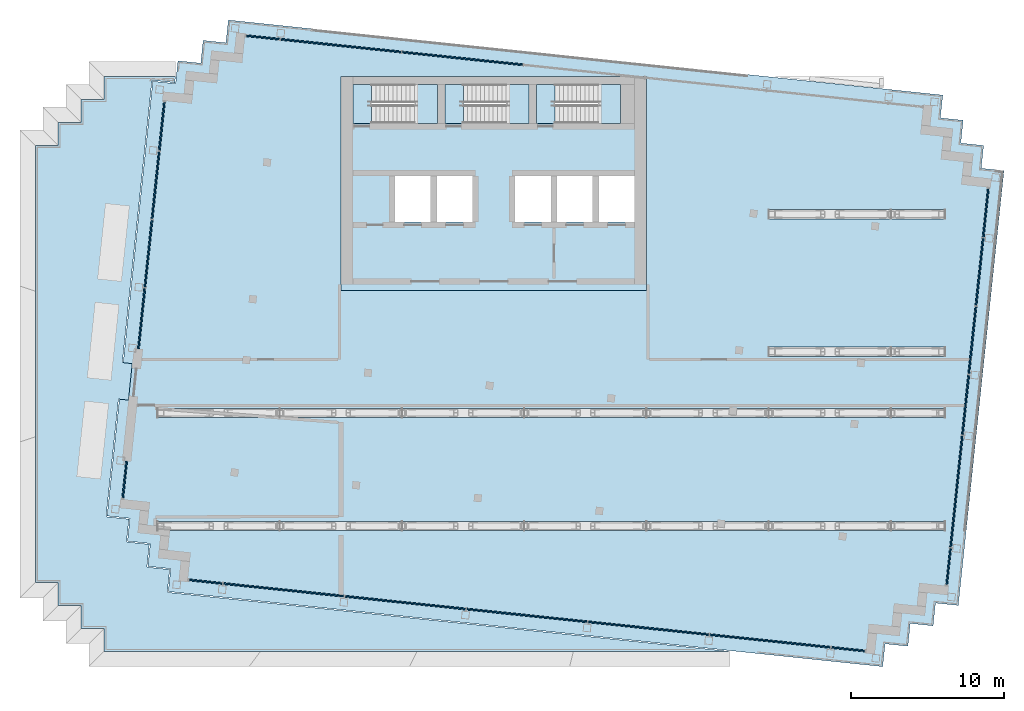
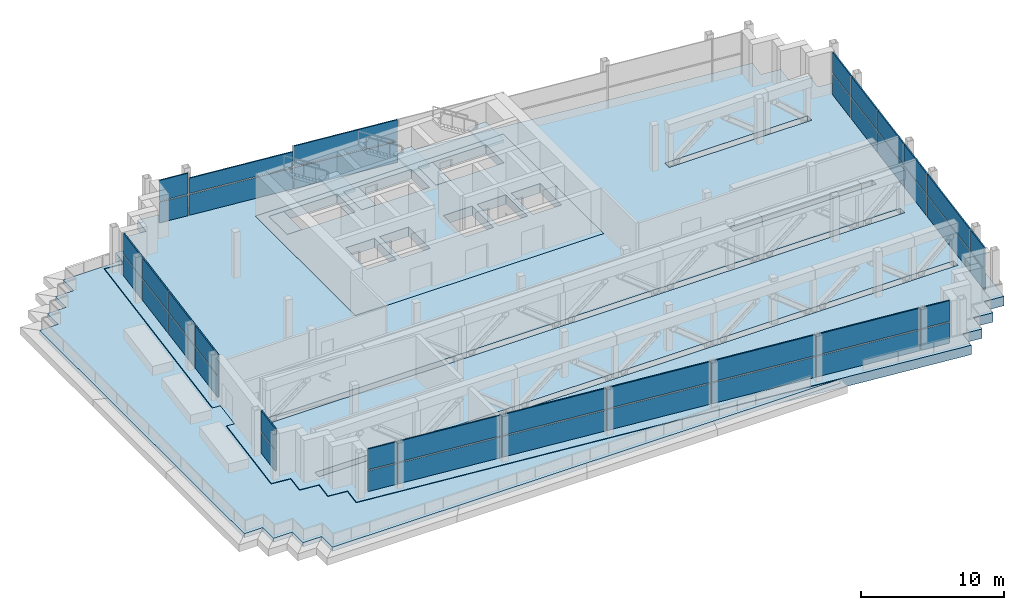
# One storey, part 6 of 18: 42 plates, 9 slabs, 8 elements without a shape of their own.
"""IFC4 building model written with IfcOpenShell, lengths in metres."""

from ifc_helpers import new_model, si_unit, direction, frame, origin, origin_2d, place, context, subcontext, project, spatial, polyline, rectangle, outline, extrude, material, layer, layer_set, type_object, element, aggregate, save


model = new_model("IFC4")

# Units and contexts
model_context = context("Model", 3, precision=1e-05, world=origin(), true_north=direction((0.0, 1.0)))
body_context = subcontext(model_context, "Body", "Model", "MODEL_VIEW")
ifc_project = project(units=[si_unit("LENGTHUNIT", "METRE"), si_unit("AREAUNIT", "SQUARE_METRE"), si_unit("VOLUMEUNIT", "CUBIC_METRE"), si_unit("PLANEANGLEUNIT", "RADIAN"), si_unit("MASSUNIT", "GRAM", prefix="KILO")], contexts=[model_context])

# Site, building, storey
site_placement = place(None, origin())
site = spatial("IfcSite", under=ifc_project, at=site_placement, CompositionType="ELEMENT")
building_placement = place(site_placement, origin())
building = spatial("IfcBuilding", under=site, at=building_placement, Name="Vidyagriha Tower", CompositionType="ELEMENT")
storey_placement = place(building_placement, frame((0.0, 0.0, 249.199951171875)))
storey = spatial("IfcBuildingStorey", under=building, at=storey_placement, Name="L64", CompositionType="ELEMENT", Elevation=249.199951171875)

# Slabs
ifc_material_1 = material(Name="Concrete C60/75", Category="concrete")
ifc_layer_1 = layer(ifc_material_1, 0.800048828125)
ifc_layer_set_1 = layer_set([ifc_layer_1], Name="Concrete C60/75")
slab_type_1 = type_object("IfcSlabType", Name="Core floor slab 800 mm", PredefinedType="FLOOR", material=ifc_layer_set_1)
slab_1_placement = place(storey_placement, frame((0.0, 0.0, -0.800048828125)))
element("IfcSlab", 1, at=slab_1_placement, inside=storey, type_object=slab_type_1, Name="L64 core floor 1", PredefinedType="FLOOR", context=body_context, shape_type="SweptSolid", body=[
    extrude(outline(polyline([(-10.0, 6.0), (-10.0, 20.0), (10.0, 20.0), (10.0, 6.0), (-10.0, 6.0)]), holes=[polyline([(6.86669921875, 13.5), (6.86669921875, 10.5), (9.199951171875, 10.5), (9.199951171875, 13.5), (6.86669921875, 13.5)]), polyline([(4.0, 19.5), (2.800048828125, 19.5), (2.800048828125, 16.949951171875), (4.0, 16.949951171875), (8.300048828125, 16.949951171875), (8.300048828125, 19.5), (4.0, 19.5)]), polyline([(6.466796875, 13.5), (4.13330078125, 13.5), (4.13330078125, 10.5), (6.466796875, 10.5), (6.466796875, 13.5)]), polyline([(3.7333984375, 13.5), (1.39990234375, 13.5), (1.39990234375, 10.5), (3.7333984375, 10.5), (3.7333984375, 13.5)]), polyline([(-2.0, 16.949951171875), (2.300048828125, 16.949951171875), (2.300048828125, 19.5), (-2.0, 19.5), (-3.199951171875, 19.5), (-3.199951171875, 16.949951171875), (-2.0, 16.949951171875)]), polyline([(-3.7333984375, 13.5), (-3.7333984375, 10.5), (-1.39990234375, 10.5), (-1.39990234375, 13.5), (-3.7333984375, 13.5)]), polyline([(-9.199951171875, 19.5), (-9.199951171875, 16.949951171875), (-8.0, 16.949951171875), (-3.699951171875, 16.949951171875), (-3.699951171875, 19.5), (-8.0, 19.5), (-9.199951171875, 19.5)]), polyline([(-6.466796875, 13.5), (-6.466796875, 10.5), (-4.13330078125, 10.5), (-4.13330078125, 13.5), (-6.466796875, 13.5)])]), origin(), (0.0, 0.0, 1.0), 0.800048828125),
])
ifc_material_2 = material(Name="Concrete C40/50", Category="concrete")
ifc_layer_2 = layer(ifc_material_2, 0.800048828125)
ifc_layer_set_2 = layer_set([ifc_layer_2], Name="Concrete C40/50")
slab_type_2 = type_object("IfcSlabType", Name="Exit stair floor landing 800 mm", PredefinedType="LANDING", material=ifc_layer_set_2)
slab_2_placement = place(storey_placement, frame((0.0, 0.0, -0.800048828125)))
element("IfcSlab", 2, at=slab_2_placement, inside=storey, type_object=slab_type_2, Name="ST1 floor landing L64", PredefinedType="LANDING", context=body_context, shape_type="SweptSolid", body=[
    extrude(outline(polyline([(-9.199951171875, 16.949951171875), (-8.0, 16.949951171875), (-8.0, 19.5), (-9.199951171875, 19.5), (-9.199951171875, 16.949951171875)])), origin(), (0.0, 0.0, 1.0), 0.800048828125),
])
slab_3_placement = place(storey_placement, frame((0.0, 0.0, -0.800048828125)))
element("IfcSlab", 3, at=slab_3_placement, inside=storey, type_object=slab_type_2, Name="ST2 floor landing L64", PredefinedType="LANDING", context=body_context, shape_type="SweptSolid", body=[
    extrude(outline(polyline([(-3.199951171875, 16.949951171875), (-2.0, 16.949951171875), (-2.0, 19.5), (-3.199951171875, 19.5), (-3.199951171875, 16.949951171875)])), origin(), (0.0, 0.0, 1.0), 0.800048828125),
])
slab_4_placement = place(storey_placement, frame((0.0, 0.0, -0.800048828125)))
element("IfcSlab", 4, at=slab_4_placement, inside=storey, type_object=slab_type_2, Name="ST3 floor landing L64", PredefinedType="LANDING", context=body_context, shape_type="SweptSolid", body=[
    extrude(outline(polyline([(2.800048828125, 16.949951171875), (4.0, 16.949951171875), (4.0, 19.5), (2.800048828125, 19.5), (2.800048828125, 16.949951171875)])), origin(), (0.0, 0.0, 1.0), 0.800048828125),
])

# Stair, slab
ifc_material_3 = material(Name="Concrete C40/50", Category="concrete")
stair_type = type_object("IfcStairType", Name="Exit stair, half-turn, precast flights", PredefinedType="HALF_TURN_STAIR", material=ifc_material_3)
stair_1_placement = place(storey_placement, origin())
stair_1 = element("IfcStair", 5, at=stair_1_placement, inside=storey, type_object=stair_type, Name="L64 Exit Stair ST1", PredefinedType="HALF_TURN_STAIR")
ifc_material_4 = material(Name="Concrete C40/50", Category="concrete")
ifc_layer_3 = layer(ifc_material_4, 0.199951171875)
ifc_layer_set_3 = layer_set([ifc_layer_3], Name="Concrete C40/50")
slab_type_3 = type_object("IfcSlabType", Name="Exit stair landing 200 mm", PredefinedType="LANDING", material=ifc_layer_set_3)
slab_5_placement = place(storey_placement, frame((0.0, 0.0, 1.75)))
slab_5 = element("IfcSlab", 6, at=slab_5_placement, type_object=slab_type_3, Name="ST1 landing 1", PredefinedType="LANDING", context=body_context, shape_type="SweptSolid", body=[
    extrude(outline(polyline([(-5.199951171875, 16.949951171875), (-3.699951171875, 16.949951171875), (-3.699951171875, 19.5), (-5.199951171875, 19.5), (-5.199951171875, 16.949951171875)])), origin(), (0.0, 0.0, 1.0), 0.199951171875),
])
aggregate(stair_1, [slab_5])

stair_2_placement = place(storey_placement, origin())
stair_2 = element("IfcStair", 7, at=stair_2_placement, inside=storey, type_object=stair_type, Name="L64 Exit Stair ST2", PredefinedType="HALF_TURN_STAIR")
slab_6_placement = place(storey_placement, frame((0.0, 0.0, 1.75)))
slab_6 = element("IfcSlab", 8, at=slab_6_placement, type_object=slab_type_3, Name="ST2 landing 1", PredefinedType="LANDING", context=body_context, shape_type="SweptSolid", body=[
    extrude(outline(polyline([(0.800048828125, 16.949951171875), (2.300048828125, 16.949951171875), (2.300048828125, 19.5), (0.800048828125, 19.5), (0.800048828125, 16.949951171875)])), origin(), (0.0, 0.0, 1.0), 0.199951171875),
])
aggregate(stair_2, [slab_6])

stair_3_placement = place(storey_placement, origin())
stair_3 = element("IfcStair", 9, at=stair_3_placement, inside=storey, type_object=stair_type, Name="L64 Exit Stair ST3", PredefinedType="HALF_TURN_STAIR")
slab_7_placement = place(storey_placement, frame((0.0, 0.0, 1.75)))
slab_7 = element("IfcSlab", 10, at=slab_7_placement, type_object=slab_type_3, Name="ST3 landing 1", PredefinedType="LANDING", context=body_context, shape_type="SweptSolid", body=[
    extrude(outline(polyline([(6.800048828125, 16.949951171875), (8.300048828125, 16.949951171875), (8.300048828125, 19.5), (6.800048828125, 19.5), (6.800048828125, 16.949951171875)])), origin(), (0.0, 0.0, 1.0), 0.199951171875),
])
aggregate(stair_3, [slab_7])

# Curtain wall, plates
ifc_material_5 = material(Name="Aluminium and glass curtain wall", Category="aluminium")
curtain_wall_type = type_object("IfcCurtainWallType", Name="Plant louvre wall", PredefinedType="USERDEFINED", material=ifc_material_5)
curtain_wall_1_placement = place(storey_placement, origin())
curtain_wall_1 = element("IfcCurtainWall", 11, at=curtain_wall_1_placement, inside=storey, type_object=curtain_wall_type, Name="CW7 plant louvre wall", ObjectType="STICK GLAZING", PredefinedType="USERDEFINED")
ifc_material_6 = material(Name="Perforated fired clay brick jaali screen", Category="masonry")
ifc_layer_4 = layer(ifc_material_6, 0.10009765625)
ifc_layer_set_4 = layer_set([ifc_layer_4], Name="Perforated fired clay brick jaali screen")
plate_type = type_object("IfcPlateType", Name="Perforated brick jaali screen panel", PredefinedType="CURTAIN_PANEL", material=ifc_layer_set_4)
plate_1_placement = place(storey_placement, frame((-2.05029296875, 21.191162109375, 0.0), z_axis=(0.0, 0.0, 1.0), x_axis=(-0.994521854435, 0.104528852722, 0.0)))
plate_1 = element("IfcPlate", 12, at=plate_1_placement, type_object=plate_type, Name="CW7 panel 5.1", PredefinedType="CURTAIN_PANEL", context=body_context, shape_type="SweptSolid", body=[
    extrude(rectangle(XDim=7.919921875, YDim=0.10009765625, at=origin_2d()), origin(), (0.0, 0.0, 1.0), 1.760009765625),
])
plate_2_placement = place(storey_placement, frame((-2.05029296875, 21.191162109375, 1.85986328125), z_axis=(0.0, 0.0, 1.0), x_axis=(-0.994521854435, 0.104528852722, 0.0)))
plate_2 = element("IfcPlate", 13, at=plate_2_placement, type_object=plate_type, Name="CW7 panel 5.2", PredefinedType="CURTAIN_PANEL", context=body_context, shape_type="SweptSolid", body=[
    extrude(rectangle(XDim=7.919921875, YDim=0.10009765625, at=origin_2d()), origin(), (0.0, 0.0, 1.0), 1.760009765625),
])
plate_3_placement = place(storey_placement, frame((-10.00634765625, 22.027587890625, 0.0), z_axis=(0.0, 0.0, 1.0), x_axis=(-0.994521854435, 0.104528852722, 0.0)))
plate_3 = element("IfcPlate", 14, at=plate_3_placement, type_object=plate_type, Name="CW7 panel 6.1", PredefinedType="CURTAIN_PANEL", context=body_context, shape_type="SweptSolid", body=[
    extrude(rectangle(XDim=7.919921875, YDim=0.10009765625, at=origin_2d()), origin(), (0.0, 0.0, 1.0), 1.760009765625),
])
plate_4_placement = place(storey_placement, frame((-10.00634765625, 22.027587890625, 1.8603515625), z_axis=(0.0, 0.0, 1.0), x_axis=(-0.994521854435, 0.104528852722, 0.0)))
plate_4 = element("IfcPlate", 15, at=plate_4_placement, type_object=plate_type, Name="CW7 panel 6.2", PredefinedType="CURTAIN_PANEL", context=body_context, shape_type="SweptSolid", body=[
    extrude(rectangle(XDim=7.919921875, YDim=0.10009765625, at=origin_2d()), origin(), (0.0, 0.0, 1.0), 1.297607421875),
])
plate_5_placement = place(storey_placement, frame((-15.1083984375, 22.563720703125, 0.0), z_axis=(0.0, 0.0, 1.0), x_axis=(-0.994521854435, 0.104528852722, 0.0)))
plate_5 = element("IfcPlate", 16, at=plate_5_placement, type_object=plate_type, Name="CW7 panel 7.1", PredefinedType="CURTAIN_PANEL", context=body_context, shape_type="SweptSolid", body=[
    extrude(rectangle(XDim=2.18017578125, YDim=0.10009765625, at=origin_2d()), origin(), (0.0, 0.0, 1.0), 1.760009765625),
])
plate_6_placement = place(storey_placement, frame((-15.1083984375, 22.563720703125, 1.85986328125), z_axis=(0.0, 0.0, 1.0), x_axis=(-0.994521854435, 0.104528852722, 0.0)))
plate_6 = element("IfcPlate", 17, at=plate_6_placement, type_object=plate_type, Name="CW7 panel 7.2", PredefinedType="CURTAIN_PANEL", context=body_context, shape_type="SweptSolid", body=[
    extrude(rectangle(XDim=2.18017578125, YDim=0.10009765625, at=origin_2d()), origin(), (0.0, 0.0, 1.0), 1.760009765625),
])
aggregate(curtain_wall_1, [plate_1, plate_2, plate_3, plate_4, plate_5, plate_6])

curtain_wall_2_placement = place(storey_placement, origin())
curtain_wall_2 = element("IfcCurtainWall", 18, at=curtain_wall_2_placement, inside=storey, type_object=curtain_wall_type, Name="CW7 plant louvre wall", ObjectType="STICK GLAZING", PredefinedType="USERDEFINED")
plate_7_placement = place(storey_placement, frame((-21.721923828125, 16.753173828125, 0.0), z_axis=(0.0, 0.0, 1.0), x_axis=(-0.104527660683, -0.994521979723, 0.0)))
plate_7 = element("IfcPlate", 19, at=plate_7_placement, type_object=plate_type, Name="CW7 panel 1.1", PredefinedType="CURTAIN_PANEL", context=body_context, shape_type="SweptSolid", body=[
    extrude(rectangle(XDim=3.179931640625, YDim=0.10009765625, at=origin_2d()), origin(), (0.0, 0.0, 1.0), 1.760009765625),
])
plate_8_placement = place(storey_placement, frame((-21.721923828125, 16.753173828125, 1.85986328125), z_axis=(0.0, 0.0, 1.0), x_axis=(-0.104527660683, -0.994521979723, 0.0)))
plate_8 = element("IfcPlate", 20, at=plate_8_placement, type_object=plate_type, Name="CW7 panel 1.2", PredefinedType="CURTAIN_PANEL", context=body_context, shape_type="SweptSolid", body=[
    extrude(rectangle(XDim=3.179931640625, YDim=0.10009765625, at=origin_2d()), origin(), (0.0, 0.0, 1.0), 1.760009765625),
])
plate_9_placement = place(storey_placement, frame((-22.12744140625, 12.894287109375, 0.0), z_axis=(0.0, 0.0, 1.0), x_axis=(-0.104527660683, -0.994521979723, 0.0)))
plate_9 = element("IfcPlate", 21, at=plate_9_placement, type_object=plate_type, Name="CW7 panel 2.1", PredefinedType="CURTAIN_PANEL", context=body_context, shape_type="SweptSolid", body=[
    extrude(rectangle(XDim=4.420166015625, YDim=0.10009765625, at=origin_2d()), origin(), (0.0, 0.0, 1.0), 1.760009765625),
])
plate_10_placement = place(storey_placement, frame((-22.12744140625, 12.894287109375, 1.85986328125), z_axis=(0.0, 0.0, 1.0), x_axis=(-0.104527660683, -0.994521979723, 0.0)))
plate_10 = element("IfcPlate", 22, at=plate_10_placement, type_object=plate_type, Name="CW7 panel 2.2", PredefinedType="CURTAIN_PANEL", context=body_context, shape_type="SweptSolid", body=[
    extrude(rectangle(XDim=4.420166015625, YDim=0.10009765625, at=origin_2d()), origin(), (0.0, 0.0, 1.0), 1.760009765625),
])
plate_11_placement = place(storey_placement, frame((-22.597900390625, 8.419189453125, 0.0), z_axis=(0.0, 0.0, 1.0), x_axis=(-0.104527660683, -0.994521979723, 0.0)))
plate_11 = element("IfcPlate", 23, at=plate_11_placement, type_object=plate_type, Name="CW7 panel 3.1", PredefinedType="CURTAIN_PANEL", context=body_context, shape_type="SweptSolid", body=[
    extrude(rectangle(XDim=4.419921875, YDim=0.10009765625, at=origin_2d()), origin(), (0.0, 0.0, 1.0), 1.760009765625),
])
plate_12_placement = place(storey_placement, frame((-22.597900390625, 8.419189453125, 1.85986328125), z_axis=(0.0, 0.0, 1.0), x_axis=(-0.104527660683, -0.994521979723, 0.0)))
plate_12 = element("IfcPlate", 24, at=plate_12_placement, type_object=plate_type, Name="CW7 panel 3.2", PredefinedType="CURTAIN_PANEL", context=body_context, shape_type="SweptSolid", body=[
    extrude(rectangle(XDim=4.419921875, YDim=0.10009765625, at=origin_2d()), origin(), (0.0, 0.0, 1.0), 1.760009765625),
])
plate_13_placement = place(storey_placement, frame((-23.044189453125, 4.172607421875, 0.0), z_axis=(0.0, 0.0, 1.0), x_axis=(-0.104527660683, -0.994521979723, 0.0)))
plate_13 = element("IfcPlate", 25, at=plate_13_placement, type_object=plate_type, Name="CW7 panel 4.1", PredefinedType="CURTAIN_PANEL", context=body_context, shape_type="SweptSolid", body=[
    extrude(rectangle(XDim=3.9599609375, YDim=0.10009765625, at=origin_2d()), origin(), (0.0, 0.0, 1.0), 1.760009765625),
])
plate_14_placement = place(storey_placement, frame((-23.044189453125, 4.172607421875, 1.85986328125), z_axis=(0.0, 0.0, 1.0), x_axis=(-0.104527660683, -0.994521979723, 0.0)))
plate_14 = element("IfcPlate", 26, at=plate_14_placement, type_object=plate_type, Name="CW7 panel 4.2", PredefinedType="CURTAIN_PANEL", context=body_context, shape_type="SweptSolid", body=[
    extrude(rectangle(XDim=3.9599609375, YDim=0.10009765625, at=origin_2d()), origin(), (0.0, 0.0, 1.0), 1.760009765625),
])
aggregate(curtain_wall_2, [plate_7, plate_8, plate_9, plate_10, plate_11, plate_12, plate_13, plate_14])

curtain_wall_3_placement = place(storey_placement, origin())
curtain_wall_3 = element("IfcCurtainWall", 27, at=curtain_wall_3_placement, inside=storey, type_object=curtain_wall_type, Name="CW7 plant louvre wall", ObjectType="STICK GLAZING", PredefinedType="USERDEFINED")
plate_15_placement = place(storey_placement, frame((-24.151123046875, -6.359619140625, 0.0), z_axis=(0.0, 0.0, 1.0), x_axis=(-0.10451613172, -0.994523191389, 0.0)))
plate_15 = element("IfcPlate", 28, at=plate_15_placement, type_object=plate_type, Name="CW7 panel 1.1", PredefinedType="CURTAIN_PANEL", context=body_context, shape_type="SweptSolid", body=[
    extrude(rectangle(XDim=2.420166015625, YDim=0.10009765625, at=origin_2d()), origin(), (0.0, 0.0, 1.0), 1.760009765625),
])
plate_16_placement = place(storey_placement, frame((-24.151123046875, -6.359619140625, 1.85986328125), z_axis=(0.0, 0.0, 1.0), x_axis=(-0.10451613172, -0.994523191389, 0.0)))
plate_16 = element("IfcPlate", 29, at=plate_16_placement, type_object=plate_type, Name="CW7 panel 1.2", PredefinedType="CURTAIN_PANEL", context=body_context, shape_type="SweptSolid", body=[
    extrude(rectangle(XDim=2.420166015625, YDim=0.10009765625, at=origin_2d()), origin(), (0.0, 0.0, 1.0), 1.760009765625),
])
aggregate(curtain_wall_3, [plate_15, plate_16])

curtain_wall_4_placement = place(storey_placement, origin())
curtain_wall_4 = element("IfcCurtainWall", 30, at=curtain_wall_4_placement, inside=storey, type_object=curtain_wall_type, Name="CW7 plant louvre wall", ObjectType="STICK GLAZING", PredefinedType="USERDEFINED")
plate_17_placement = place(storey_placement, frame((-18.850341796875, -13.040283203125, 0.0), z_axis=(0.0, 0.0, 1.0), x_axis=(0.994522063021, -0.104526868149, 0.0)))
plate_17 = element("IfcPlate", 31, at=plate_17_placement, type_object=plate_type, Name="CW7 panel 1.1", PredefinedType="CURTAIN_PANEL", context=body_context, shape_type="SweptSolid", body=[
    extrude(rectangle(XDim=2.179931640625, YDim=0.10009765625, at=origin_2d()), origin(), (0.0, 0.0, 1.0), 1.760009765625),
])
plate_18_placement = place(storey_placement, frame((-18.850341796875, -13.040283203125, 1.85986328125), z_axis=(0.0, 0.0, 1.0), x_axis=(0.994522063021, -0.104526868149, 0.0)))
plate_18 = element("IfcPlate", 32, at=plate_18_placement, type_object=plate_type, Name="CW7 panel 1.2", PredefinedType="CURTAIN_PANEL", context=body_context, shape_type="SweptSolid", body=[
    extrude(rectangle(XDim=2.179931640625, YDim=0.10009765625, at=origin_2d()), origin(), (0.0, 0.0, 1.0), 1.760009765625),
])
plate_19_placement = place(storey_placement, frame((-13.74853515625, -13.576416015625, 0.0), z_axis=(0.0, 0.0, 1.0), x_axis=(0.994522063021, -0.104526868149, 0.0)))
plate_19 = element("IfcPlate", 33, at=plate_19_placement, type_object=plate_type, Name="CW7 panel 2.1", PredefinedType="CURTAIN_PANEL", context=body_context, shape_type="SweptSolid", body=[
    extrude(rectangle(XDim=7.919921875, YDim=0.10009765625, at=origin_2d()), origin(), (0.0, 0.0, 1.0), 1.760009765625),
])
plate_20_placement = place(storey_placement, frame((-13.74853515625, -13.576416015625, 1.85986328125), z_axis=(0.0, 0.0, 1.0), x_axis=(0.994522063021, -0.104526868149, 0.0)))
plate_20 = element("IfcPlate", 34, at=plate_20_placement, type_object=plate_type, Name="CW7 panel 2.2", PredefinedType="CURTAIN_PANEL", context=body_context, shape_type="SweptSolid", body=[
    extrude(rectangle(XDim=7.919921875, YDim=0.10009765625, at=origin_2d()), origin(), (0.0, 0.0, 1.0), 1.760009765625),
])
plate_21_placement = place(storey_placement, frame((-5.792236328125, -14.41259765625, 0.0), z_axis=(0.0, 0.0, 1.0), x_axis=(0.994522063021, -0.104526868149, 0.0)))
plate_21 = element("IfcPlate", 35, at=plate_21_placement, type_object=plate_type, Name="CW7 panel 3.1", PredefinedType="CURTAIN_PANEL", context=body_context, shape_type="SweptSolid", body=[
    extrude(rectangle(XDim=7.919921875, YDim=0.10009765625, at=origin_2d()), origin(), (0.0, 0.0, 1.0), 1.760009765625),
])
plate_22_placement = place(storey_placement, frame((-5.792236328125, -14.41259765625, 1.85986328125), z_axis=(0.0, 0.0, 1.0), x_axis=(0.994522063021, -0.104526868149, 0.0)))
plate_22 = element("IfcPlate", 36, at=plate_22_placement, type_object=plate_type, Name="CW7 panel 3.2", PredefinedType="CURTAIN_PANEL", context=body_context, shape_type="SweptSolid", body=[
    extrude(rectangle(XDim=7.919921875, YDim=0.10009765625, at=origin_2d()), origin(), (0.0, 0.0, 1.0), 1.760009765625),
])
plate_23_placement = place(storey_placement, frame((2.163818359375, -15.2490234375, 0.0), z_axis=(0.0, 0.0, 1.0), x_axis=(0.994522063021, -0.104526868149, 0.0)))
plate_23 = element("IfcPlate", 37, at=plate_23_placement, type_object=plate_type, Name="CW7 panel 4.1", PredefinedType="CURTAIN_PANEL", context=body_context, shape_type="SweptSolid", body=[
    extrude(rectangle(XDim=7.919921875, YDim=0.10009765625, at=origin_2d()), origin(), (0.0, 0.0, 1.0), 1.760009765625),
])
plate_24_placement = place(storey_placement, frame((2.163818359375, -15.2490234375, 1.85986328125), z_axis=(0.0, 0.0, 1.0), x_axis=(0.994522063021, -0.104526868149, 0.0)))
plate_24 = element("IfcPlate", 38, at=plate_24_placement, type_object=plate_type, Name="CW7 panel 4.2", PredefinedType="CURTAIN_PANEL", context=body_context, shape_type="SweptSolid", body=[
    extrude(rectangle(XDim=7.919921875, YDim=0.10009765625, at=origin_2d()), origin(), (0.0, 0.0, 1.0), 1.760009765625),
])
plate_25_placement = place(storey_placement, frame((10.1201171875, -16.085205078125, 0.0), z_axis=(0.0, 0.0, 1.0), x_axis=(0.994522063021, -0.104526868149, 0.0)))
plate_25 = element("IfcPlate", 39, at=plate_25_placement, type_object=plate_type, Name="CW7 panel 5.1", PredefinedType="CURTAIN_PANEL", context=body_context, shape_type="SweptSolid", body=[
    extrude(rectangle(XDim=7.919921875, YDim=0.10009765625, at=origin_2d()), origin(), (0.0, 0.0, 1.0), 1.760009765625),
])
plate_26_placement = place(storey_placement, frame((10.1201171875, -16.085205078125, 1.85986328125), z_axis=(0.0, 0.0, 1.0), x_axis=(0.994522063021, -0.104526868149, 0.0)))
plate_26 = element("IfcPlate", 40, at=plate_26_placement, type_object=plate_type, Name="CW7 panel 5.2", PredefinedType="CURTAIN_PANEL", context=body_context, shape_type="SweptSolid", body=[
    extrude(rectangle(XDim=7.919921875, YDim=0.10009765625, at=origin_2d()), origin(), (0.0, 0.0, 1.0), 1.760009765625),
])
plate_27_placement = place(storey_placement, frame((18.076171875, -16.92138671875, 0.0), z_axis=(0.0, 0.0, 1.0), x_axis=(0.994522063021, -0.104526868149, 0.0)))
plate_27 = element("IfcPlate", 41, at=plate_27_placement, type_object=plate_type, Name="CW7 panel 6.1", PredefinedType="CURTAIN_PANEL", context=body_context, shape_type="SweptSolid", body=[
    extrude(rectangle(XDim=7.919921875, YDim=0.10009765625, at=origin_2d()), origin(), (0.0, 0.0, 1.0), 1.760009765625),
])
plate_28_placement = place(storey_placement, frame((18.076171875, -16.92138671875, 1.85986328125), z_axis=(0.0, 0.0, 1.0), x_axis=(0.994522063021, -0.104526868149, 0.0)))
plate_28 = element("IfcPlate", 42, at=plate_28_placement, type_object=plate_type, Name="CW7 panel 6.2", PredefinedType="CURTAIN_PANEL", context=body_context, shape_type="SweptSolid", body=[
    extrude(rectangle(XDim=7.919921875, YDim=0.10009765625, at=origin_2d()), origin(), (0.0, 0.0, 1.0), 1.760009765625),
])
plate_29_placement = place(storey_placement, frame((23.177978515625, -17.45751953125, 0.0), z_axis=(0.0, 0.0, 1.0), x_axis=(0.994522063021, -0.104526868149, 0.0)))
plate_29 = element("IfcPlate", 43, at=plate_29_placement, type_object=plate_type, Name="CW7 panel 7.1", PredefinedType="CURTAIN_PANEL", context=body_context, shape_type="SweptSolid", body=[
    extrude(rectangle(XDim=2.179931640625, YDim=0.10009765625, at=origin_2d()), origin(), (0.0, 0.0, 1.0), 1.760009765625),
])
plate_30_placement = place(storey_placement, frame((23.177978515625, -17.45751953125, 1.85986328125), z_axis=(0.0, 0.0, 1.0), x_axis=(0.994522063021, -0.104526868149, 0.0)))
plate_30 = element("IfcPlate", 44, at=plate_30_placement, type_object=plate_type, Name="CW7 panel 7.2", PredefinedType="CURTAIN_PANEL", context=body_context, shape_type="SweptSolid", body=[
    extrude(rectangle(XDim=2.179931640625, YDim=0.10009765625, at=origin_2d()), origin(), (0.0, 0.0, 1.0), 1.760009765625),
])
aggregate(curtain_wall_4, [plate_17, plate_18, plate_19, plate_20, plate_21, plate_22, plate_23, plate_24, plate_25, plate_26, plate_27, plate_28, plate_29, plate_30])

curtain_wall_5_placement = place(storey_placement, origin())
curtain_wall_5 = element("IfcCurtainWall", 45, at=curtain_wall_5_placement, inside=storey, type_object=curtain_wall_type, Name="CW7 plant louvre wall", ObjectType="STICK GLAZING", PredefinedType="USERDEFINED")
plate_31_placement = place(storey_placement, frame((29.749755859375, -12.044921875, 0.0), z_axis=(0.0, 0.0, 1.0), x_axis=(0.104526632119, 0.994522087828, 0.0)))
plate_31 = element("IfcPlate", 46, at=plate_31_placement, type_object=plate_type, Name="CW7 panel 1.1", PredefinedType="CURTAIN_PANEL", context=body_context, shape_type="SweptSolid", body=[
    extrude(rectangle(XDim=2.3798828125, YDim=0.10009765625, at=origin_2d()), origin(), (0.0, 0.0, 1.0), 1.760009765625),
])
plate_32_placement = place(storey_placement, frame((29.749755859375, -12.044921875, 1.85986328125), z_axis=(0.0, 0.0, 1.0), x_axis=(0.104526632119, 0.994522087828, 0.0)))
plate_32 = element("IfcPlate", 47, at=plate_32_placement, type_object=plate_type, Name="CW7 panel 1.2", PredefinedType="CURTAIN_PANEL", context=body_context, shape_type="SweptSolid", body=[
    extrude(rectangle(XDim=2.3798828125, YDim=0.10009765625, at=origin_2d()), origin(), (0.0, 0.0, 1.0), 1.760009765625),
])
plate_33_placement = place(storey_placement, frame((30.26513671875, -7.14208984375, 0.0), z_axis=(0.0, 0.0, 1.0), x_axis=(0.104526632119, 0.994522087828, 0.0)))
plate_33 = element("IfcPlate", 48, at=plate_33_placement, type_object=plate_type, Name="CW7 panel 2.1", PredefinedType="CURTAIN_PANEL", context=body_context, shape_type="SweptSolid", body=[
    extrude(rectangle(XDim=7.320068359375, YDim=0.10009765625, at=origin_2d()), origin(), (0.0, 0.0, 1.0), 1.760009765625),
])
plate_34_placement = place(storey_placement, frame((30.26513671875, -7.14208984375, 1.85986328125), z_axis=(0.0, 0.0, 1.0), x_axis=(0.104526632119, 0.994522087828, 0.0)))
plate_34 = element("IfcPlate", 49, at=plate_34_placement, type_object=plate_type, Name="CW7 panel 2.2", PredefinedType="CURTAIN_PANEL", context=body_context, shape_type="SweptSolid", body=[
    extrude(rectangle(XDim=7.320068359375, YDim=0.10009765625, at=origin_2d()), origin(), (0.0, 0.0, 1.0), 1.760009765625),
])
plate_35_placement = place(storey_placement, frame((30.861083984375, -1.47314453125, 0.0), z_axis=(0.0, 0.0, 1.0), x_axis=(0.104526632119, 0.994522087828, 0.0)))
plate_35 = element("IfcPlate", 50, at=plate_35_placement, type_object=plate_type, Name="CW7 panel 3.1", PredefinedType="CURTAIN_PANEL", context=body_context, shape_type="SweptSolid", body=[
    extrude(rectangle(XDim=3.919921875, YDim=0.10009765625, at=origin_2d()), origin(), (0.0, 0.0, 1.0), 1.760009765625),
])
plate_36_placement = place(storey_placement, frame((30.861083984375, -1.47314453125, 1.85986328125), z_axis=(0.0, 0.0, 1.0), x_axis=(0.104526632119, 0.994522087828, 0.0)))
plate_36 = element("IfcPlate", 51, at=plate_36_placement, type_object=plate_type, Name="CW7 panel 3.2", PredefinedType="CURTAIN_PANEL", context=body_context, shape_type="SweptSolid", body=[
    extrude(rectangle(XDim=3.919921875, YDim=0.10009765625, at=origin_2d()), origin(), (0.0, 0.0, 1.0), 1.760009765625),
])
plate_37_placement = place(storey_placement, frame((31.30517578125, 2.75341796875, 0.0), z_axis=(0.0, 0.0, 1.0), x_axis=(0.104526632119, 0.994522087828, 0.0)))
plate_37 = element("IfcPlate", 52, at=plate_37_placement, type_object=plate_type, Name="CW7 panel 4.1", PredefinedType="CURTAIN_PANEL", context=body_context, shape_type="SweptSolid", body=[
    extrude(rectangle(XDim=4.419921875, YDim=0.10009765625, at=origin_2d()), origin(), (0.0, 0.0, 1.0), 1.760009765625),
])
plate_38_placement = place(storey_placement, frame((31.30517578125, 2.75341796875, 1.85986328125), z_axis=(0.0, 0.0, 1.0), x_axis=(0.104526632119, 0.994522087828, 0.0)))
plate_38 = element("IfcPlate", 53, at=plate_38_placement, type_object=plate_type, Name="CW7 panel 4.2", PredefinedType="CURTAIN_PANEL", context=body_context, shape_type="SweptSolid", body=[
    extrude(rectangle(XDim=4.419921875, YDim=0.10009765625, at=origin_2d()), origin(), (0.0, 0.0, 1.0), 1.760009765625),
])
plate_39_placement = place(storey_placement, frame((31.775634765625, 7.22900390625, 0.0), z_axis=(0.0, 0.0, 1.0), x_axis=(0.104526632119, 0.994522087828, 0.0)))
plate_39 = element("IfcPlate", 54, at=plate_39_placement, type_object=plate_type, Name="CW7 panel 5.1", PredefinedType="CURTAIN_PANEL", context=body_context, shape_type="SweptSolid", body=[
    extrude(rectangle(XDim=4.420166015625, YDim=0.10009765625, at=origin_2d()), origin(), (0.0, 0.0, 1.0), 1.760009765625),
])
plate_40_placement = place(storey_placement, frame((31.775634765625, 7.22900390625, 1.85986328125), z_axis=(0.0, 0.0, 1.0), x_axis=(0.104526632119, 0.994522087828, 0.0)))
plate_40 = element("IfcPlate", 55, at=plate_40_placement, type_object=plate_type, Name="CW7 panel 5.2", PredefinedType="CURTAIN_PANEL", context=body_context, shape_type="SweptSolid", body=[
    extrude(rectangle(XDim=4.420166015625, YDim=0.10009765625, at=origin_2d()), origin(), (0.0, 0.0, 1.0), 1.760009765625),
])
plate_41_placement = place(storey_placement, frame((32.18115234375, 11.087646484375, 0.0), z_axis=(0.0, 0.0, 1.0), x_axis=(0.104526632119, 0.994522087828, 0.0)))
plate_41 = element("IfcPlate", 56, at=plate_41_placement, type_object=plate_type, Name="CW7 panel 6.1", PredefinedType="CURTAIN_PANEL", context=body_context, shape_type="SweptSolid", body=[
    extrude(rectangle(XDim=3.179931640625, YDim=0.10009765625, at=origin_2d()), origin(), (0.0, 0.0, 1.0), 1.760009765625),
])
plate_42_placement = place(storey_placement, frame((32.18115234375, 11.087646484375, 1.85986328125), z_axis=(0.0, 0.0, 1.0), x_axis=(0.104526632119, 0.994522087828, 0.0)))
plate_42 = element("IfcPlate", 57, at=plate_42_placement, type_object=plate_type, Name="CW7 panel 6.2", PredefinedType="CURTAIN_PANEL", context=body_context, shape_type="SweptSolid", body=[
    extrude(rectangle(XDim=3.179931640625, YDim=0.10009765625, at=origin_2d()), origin(), (0.0, 0.0, 1.0), 1.760009765625),
])
aggregate(curtain_wall_5, [plate_31, plate_32, plate_33, plate_34, plate_35, plate_36, plate_37, plate_38, plate_39, plate_40, plate_41, plate_42])

# Slabs
ifc_material_7 = material(Name="Concrete C50/60", Category="concrete")
ifc_layer_5 = layer(ifc_material_7, 0.35009765625)
ifc_layer_set_5 = layer_set([ifc_layer_5], Name="Concrete C50/60")
slab_type_4 = type_object("IfcSlabType", Name="Post-tensioned terrace slab 350", PredefinedType="FLOOR", material=ifc_layer_set_5)
slab_8_placement = place(storey_placement, frame((0.0, 0.0, -0.349853515625)))
element("IfcSlab", 58, at=slab_8_placement, inside=storey, type_object=slab_type_4, Name="st-terrace-TR-B6-1", PredefinedType="FLOOR", context=body_context, shape_type="SweptSolid", body=[
    extrude(outline(polyline([(-24.552978515625, -1.093994140625), (-25.356201171875, -8.73681640625), (-25.356201171875, -8.74658203125), (-25.355712890625, -8.751220703125), (-25.350830078125, -8.76513671875), (-25.342041015625, -8.777099609375), (-25.334716796875, -8.783203125), (-25.330322265625, -8.785888671875), (-25.3212890625, -8.78955078125), (-25.311767578125, -8.79150390625), (-23.86962890625, -8.943115234375), (-24.021240234375, -10.38525390625), (-24.0205078125, -10.39990234375), (-24.01953125, -10.40478515625), (-24.015869140625, -10.413818359375), (-24.01318359375, -10.41796875), (-24.007080078125, -10.425537109375), (-23.99951171875, -10.431884765625), (-23.990966796875, -10.4365234375), (-23.976806640625, -10.440185546875), (-22.53466796875, -10.591796875), (-22.686279296875, -12.03369140625), (-22.685546875, -12.048583984375), (-22.682861328125, -12.057861328125), (-22.680908203125, -12.062255859375), (-22.67529296875, -12.070556640625), (-22.66845703125, -12.077392578125), (-22.656005859375, -12.085205078125), (-22.641845703125, -12.0888671875), (-21.19970703125, -12.240234375), (-21.351318359375, -13.682373046875), (-21.3505859375, -13.697021484375), (-21.349609375, -13.701904296875), (-21.345703125, -13.7109375), (-21.34033203125, -13.718994140625), (-21.337158203125, -13.72265625), (-21.32958984375, -13.72900390625), (-21.321044921875, -13.733642578125), (-21.31640625, -13.7353515625), (-21.306884765625, -13.7373046875), (15.444091796875, -17.60009765625), (-25.5, -17.60009765625), (-25.5, -16.10009765625), (-27.0, -16.10009765625), (-27.0, -14.60009765625), (-28.5, -14.60009765625), (-28.5, -13.10009765625), (-30.0, -13.10009765625), (-30.0, 15.5), (-28.5, 15.5), (-28.5, 17.0), (-27.0, 17.0), (-27.0, 18.5), (-25.5, 18.5), (-25.5, 20.0), (-20.82763671875, 20.0), (-20.86962890625, 19.599609375), (-22.311767578125, 19.751220703125), (-22.321533203125, 19.751220703125), (-22.331298828125, 19.74951171875), (-22.34033203125, 19.74560546875), (-22.348388671875, 19.740234375), (-22.35546875, 19.7333984375), (-22.36083984375, 19.725341796875), (-22.36474609375, 19.71630859375), (-22.36669921875, 19.706787109375), (-24.302001953125, 1.292724609375), (-23.65576171875, 1.224853515625), (-23.906494140625, -1.162109375), (-24.552978515625, -1.093994140625)])), origin(), (0.0, 0.0, 1.0), 0.349853515625),
])
ifc_material_8 = material(Name="Concrete C50/60", Category="concrete")
ifc_layer_6 = layer(ifc_material_8, 0.800048828125)
ifc_layer_set_6 = layer_set([ifc_layer_6], Name="Concrete C50/60")
slab_type_5 = type_object("IfcSlabType", Name="Post-tensioned transfer deck 800", PredefinedType="FLOOR", material=ifc_layer_set_6)
slab_9_placement = place(storey_placement, frame((0.0, 0.0, -0.800048828125)))
element("IfcSlab", 59, at=slab_9_placement, inside=storey, type_object=slab_type_5, Name="st-slab-L64-1", PredefinedType="FLOOR", context=body_context, shape_type="SweptSolid", body=[
    extrude(outline(polyline([(27.246337890625, -15.773681640625), (27.089599609375, -17.265380859375), (25.597900390625, -17.108642578125), (25.44091796875, -18.600341796875), (-21.301513671875, -13.6875), (-21.144775390625, -12.19580078125), (-22.636474609375, -12.0390625), (-22.479736328125, -10.547119140625), (-23.971435546875, -10.390380859375), (-23.814697265625, -8.898681640625), (-25.306396484375, -8.741943359375), (-24.503173828125, -1.099365234375), (-23.906494140625, -1.162109375), (-23.65576171875, 1.224853515625), (-24.25244140625, 1.28759765625), (-22.31689453125, 19.701416015625), (-20.8251953125, 19.544677734375), (-20.66845703125, 21.036376953125), (-19.176513671875, 20.879638671875), (-19.019775390625, 22.371337890625), (-17.528076171875, 22.214599609375), (-17.371337890625, 23.706298828125), (29.371337890625, 18.793701171875), (29.214599609375, 17.3017578125), (30.706298828125, 17.14501953125), (30.549560546875, 15.6533203125), (32.041259765625, 15.496337890625), (31.884521484375, 14.004638671875), (33.376220703125, 13.847900390625), (30.38671875, -14.595458984375), (28.89501953125, -14.438720703125), (28.738037109375, -15.930419921875), (27.246337890625, -15.773681640625)]), holes=[polyline([(-10.0, 6.0), (10.0, 6.0), (10.0, 20.0), (-10.0, 20.0), (-10.0, 6.0)]), polyline([(29.5, -9.699951171875), (29.5, -9.10009765625), (-22.0, -9.10009765625), (-22.0, -9.699951171875), (29.5, -9.699951171875)]), polyline([(29.5, -2.300048828125), (29.5, -1.699951171875), (-22.0, -1.699951171875), (-22.0, -2.300048828125), (29.5, -2.300048828125)]), polyline([(29.5, 1.699951171875), (29.5, 2.300048828125), (18.0, 2.300048828125), (18.0, 1.699951171875), (29.5, 1.699951171875)]), polyline([(29.5, 10.699951171875), (29.5, 11.300048828125), (18.0, 11.300048828125), (18.0, 10.699951171875), (29.5, 10.699951171875)])]), origin(), (0.0, 0.0, 1.0), 0.800048828125),
])

save(model, "model.ifc")
